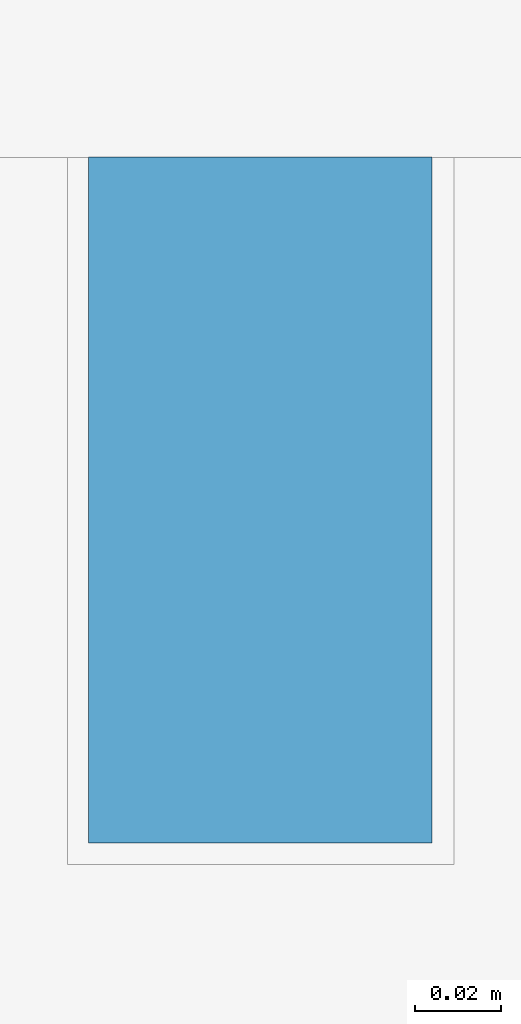
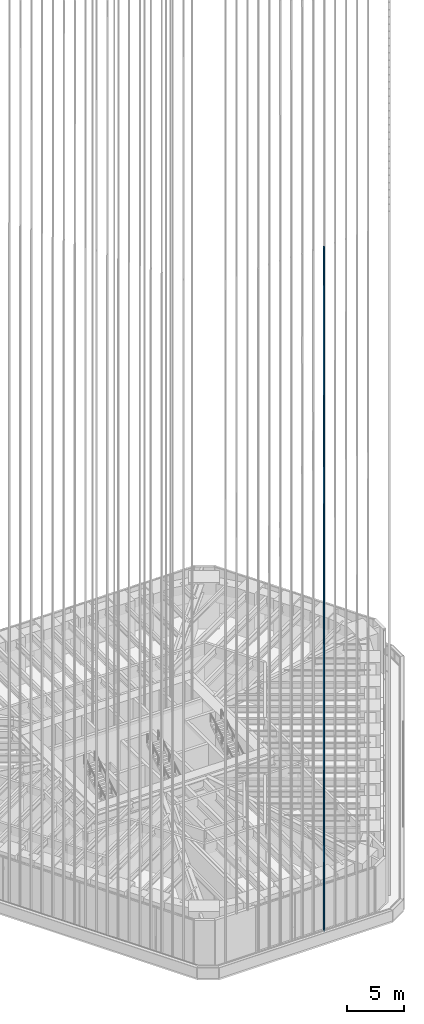
# One storey, part 40 of 228: 1 member, 1 element without a shape of its own.
"""IFC4 building model written with IfcOpenShell, lengths in metres."""

from ifc_helpers import new_model, si_unit, direction, frame, origin, origin_2d, place, context, subcontext, project, spatial, rectangle, extrude, material, material_profile, profile_set, type_object, element, aggregate, save


model = new_model("IFC4")

# Units and contexts
model_context = context("Model", 3, precision=1e-05, world=origin(), true_north=direction((0.0, 1.0)))
body_context = subcontext(model_context, "Body", "Model", "MODEL_VIEW")
ifc_project = project(units=[si_unit("LENGTHUNIT", "METRE"), si_unit("AREAUNIT", "SQUARE_METRE"), si_unit("VOLUMEUNIT", "CUBIC_METRE"), si_unit("PLANEANGLEUNIT", "RADIAN"), si_unit("MASSUNIT", "GRAM", prefix="KILO")], contexts=[model_context])

# Site, building, storey
site_placement = place(None, origin())
site = spatial("IfcSite", under=ifc_project, at=site_placement, CompositionType="ELEMENT")
building_placement = place(site_placement, origin())
building = spatial("IfcBuilding", under=site, at=building_placement, Name="Sandreach Pilgrim Tower", CompositionType="ELEMENT")
storey_placement = place(building_placement, frame((0.0, 0.0, 178.199951171875)))
storey = spatial("IfcBuildingStorey", under=building, at=storey_placement, Name="L44", CompositionType="ELEMENT", Elevation=178.199951171875)

# Curtain wall, member
ifc_material_1 = material(Name="Aluminium framed curtain wall", Category="aluminium")
curtain_wall_type = type_object("IfcCurtainWallType", Name="Upper hotel tower curtain wall", PredefinedType="NOTDEFINED", material=ifc_material_1)
curtain_wall_placement = place(storey_placement, origin())
curtain_wall = element("IfcCurtainWall", 1, at=curtain_wall_placement, inside=storey, type_object=curtain_wall_type, Name="CW-3 L44 SA", PredefinedType="NOTDEFINED")
ifc_material_2 = material(Name="Extruded terracotta on aluminium core", Category="masonry")
ifc_material_profile = material_profile(ifc_material_2, rectangle(XDim=0.080078125, YDim=0.159912109375, at=origin_2d()), Name="TBS 80X160")
ifc_profile_set = profile_set([ifc_material_profile], Name="Extruded terracotta on aluminium core")
member_type = type_object("IfcMemberType", Name="Terracotta baguette south", PredefinedType="USERDEFINED", material=ifc_profile_set)
member_placement = place(storey_placement, frame((2.772216796875, -26.905029296875, 0.0), z_axis=(0.0, 0.0, 1.0), x_axis=(-1.0, 0.0, 0.0)))
member = element("IfcMember", 2, at=member_placement, type_object=member_type, Name="Baguette Z3 S05", ObjectType="BAGUETTE", PredefinedType="USERDEFINED", context=body_context, shape_type="SweptSolid", body=[
    extrude(rectangle(XDim=0.080078125, YDim=0.159912109375, at=origin_2d()), origin(), (0.0, 0.0, 1.0), 73.239990234375),
])
aggregate(curtain_wall, [member])

save(model, "model.ifc")
